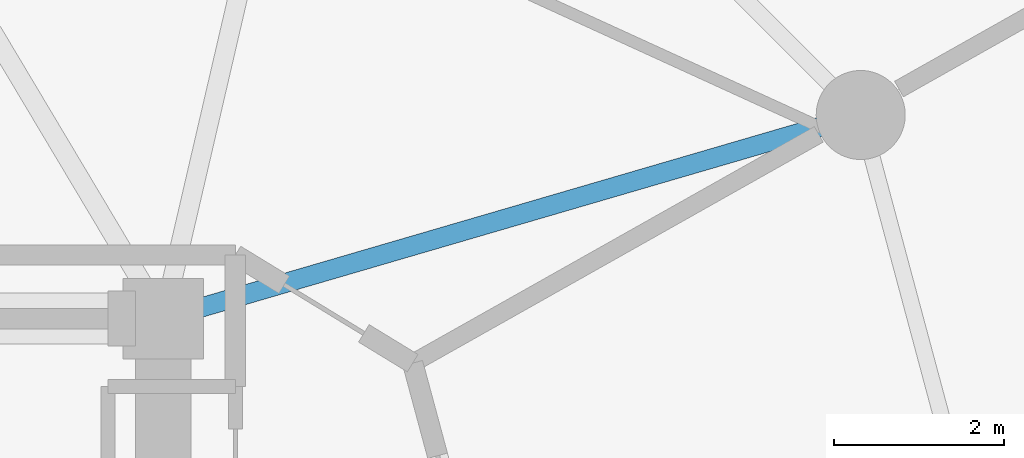
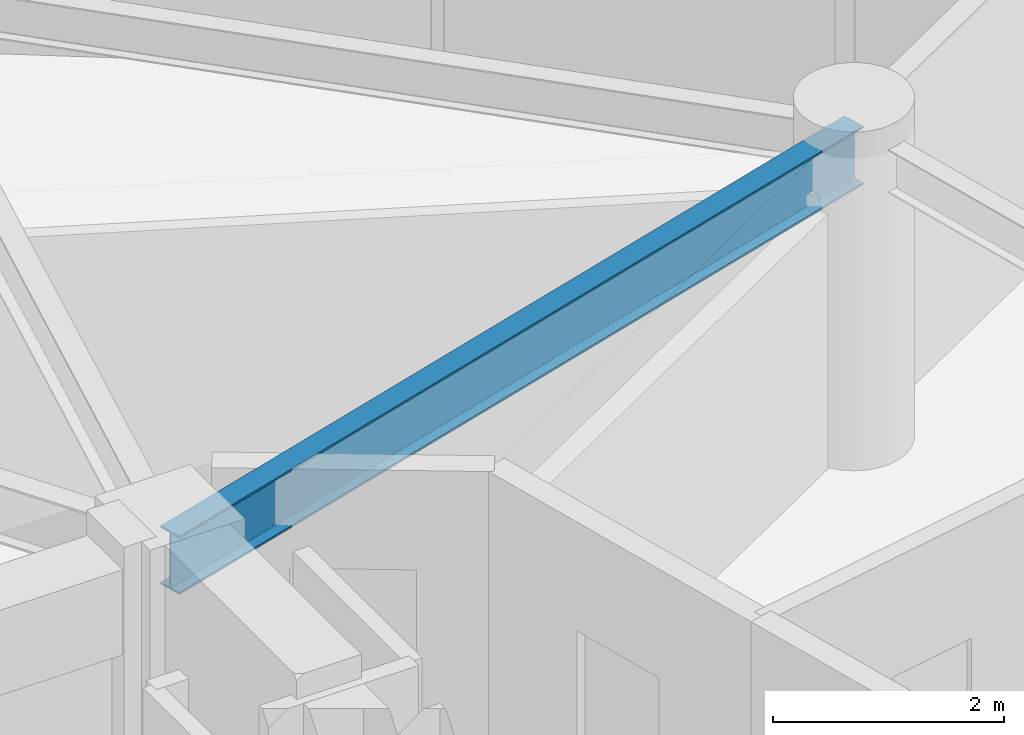
# One storey, part 9 of 20: 1 beam.
"""IFC4 building model written with IfcOpenShell, lengths in metres."""

from ifc_helpers import new_model, si_unit, direction, frame, origin, origin_2d, place, context, subcontext, project, spatial, i_section, extrude, material, material_profile, profile_set, type_object, element, save


model = new_model("IFC4")

# Units and contexts
model_context = context("Model", 3, precision=1e-05, world=origin(), true_north=direction((0.0, 1.0)))
body_context = subcontext(model_context, "Body", "Model", "MODEL_VIEW")
ifc_project = project(units=[si_unit("LENGTHUNIT", "METRE"), si_unit("AREAUNIT", "SQUARE_METRE"), si_unit("VOLUMEUNIT", "CUBIC_METRE"), si_unit("PLANEANGLEUNIT", "RADIAN"), si_unit("MASSUNIT", "GRAM", prefix="KILO")], contexts=[model_context])

# Site, building, storey
site_placement = place(None, origin())
site = spatial("IfcSite", under=ifc_project, at=site_placement, CompositionType="ELEMENT")
building_placement = place(site_placement, origin())
building = spatial("IfcBuilding", under=site, at=building_placement, Name="Solvirekh Grand Hotel", CompositionType="ELEMENT")
storey_placement = place(building_placement, frame((0.0, 0.0, 135.0)))
storey = spatial("IfcBuildingStorey", under=building, at=storey_placement, Name="L34", CompositionType="ELEMENT", Elevation=135.0)

# Beam
ifc_material = material(Name="Steel S355", Category="steel")
ifc_material_profile = material_profile(ifc_material, i_section(OverallWidth=0.22802734375, OverallDepth=0.616943359375, WebThickness=0.012939453125, FlangeThickness=0.02001953125, FilletRadius=0.014892578125, at=origin_2d()), Name="W610X140")
ifc_profile_set = profile_set([ifc_material_profile], Name="Steel S355")
beam_type = type_object("IfcBeamType", Name="Beam_Radial_W610", PredefinedType="BEAM", material=ifc_profile_set)
beam_placement = place(storey_placement, frame((6.5, 6.10009765625, 3.041015625), z_axis=(0.959942195467, 0.28019811092, 0.0), x_axis=(-0.28019811092, 0.959942195467, 0.0)))
element("IfcBeam", 1, at=beam_placement, inside=storey, type_object=beam_type, Name="L34 radial floor beam R02", PredefinedType="BEAM", context=body_context, shape_type="SweptSolid", body=[
    extrude(i_section(OverallWidth=0.22802734375, OverallDepth=0.616943359375, WebThickness=0.012939453125, FlangeThickness=0.02001953125, FilletRadius=0.014892578125, at=origin_2d()), origin(), (0.0, 0.0, 1.0), 8.56494140625),
])

save(model, "model.ifc")
